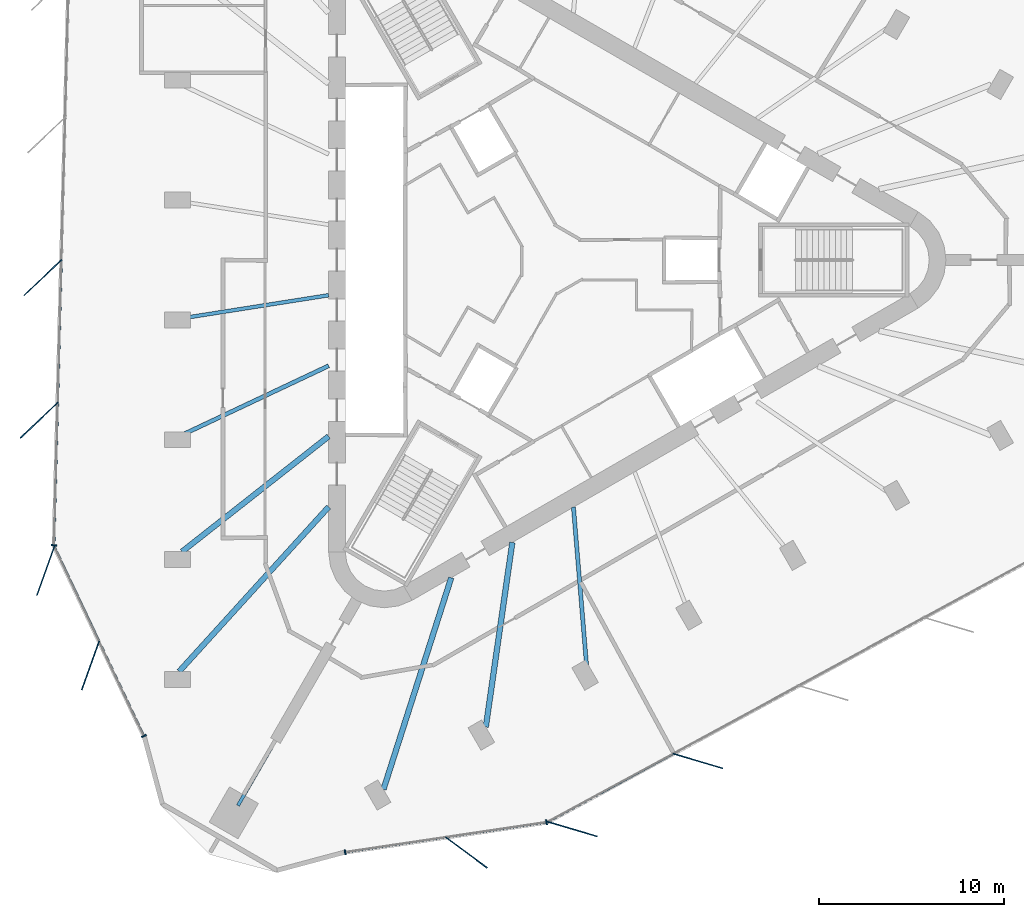
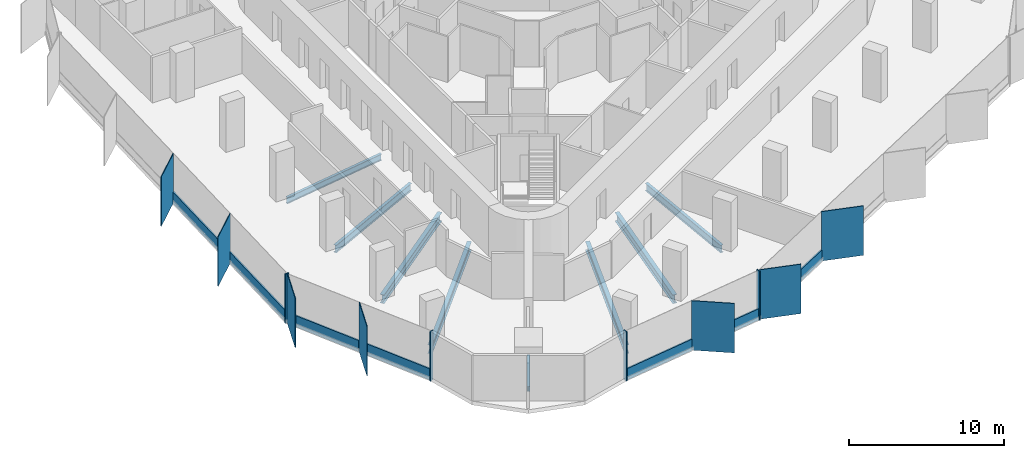
# One storey, part 2 of 13: 18 members, 8 beams, 4 elements without a shape of their own.
"""IFC4 building model written with IfcOpenShell, lengths in metres."""

from ifc_helpers import new_model, si_unit, direction, frame, origin, origin_2d, place, context, subcontext, project, spatial, rectangle, i_section, extrude, material, material_profile, profile_set, type_object, element, aggregate, save


model = new_model("IFC4")

# Units and contexts
model_context = context("Model", 3, precision=1e-05, world=origin(), true_north=direction((0.0, 1.0)))
body_context = subcontext(model_context, "Body", "Model", "MODEL_VIEW")
ifc_project = project(units=[si_unit("LENGTHUNIT", "METRE"), si_unit("AREAUNIT", "SQUARE_METRE"), si_unit("VOLUMEUNIT", "CUBIC_METRE"), si_unit("PLANEANGLEUNIT", "RADIAN"), si_unit("MASSUNIT", "GRAM", prefix="KILO")], contexts=[model_context])

# Site, building, storey
site_placement = place(None, origin())
site = spatial("IfcSite", under=ifc_project, at=site_placement, CompositionType="ELEMENT")
building_placement = place(site_placement, origin())
building = spatial("IfcBuilding", under=site, at=building_placement, Name="Tanit Gate Tower", CompositionType="ELEMENT")
storey_placement = place(building_placement, frame((0.0, 0.0, 322.10009765625)))
storey = spatial("IfcBuildingStorey", under=building, at=storey_placement, Name="L72", CompositionType="ELEMENT", Elevation=322.10009765625)

# Curtain wall, members
ifc_material_1 = material(Name="Aluminium bronze anodised and glass", Category="aluminium")
curtain_wall_type = type_object("IfcCurtainWallType", Name="Curtain wall typical high", PredefinedType="NOTDEFINED", material=ifc_material_1)
curtain_wall_1_placement = place(storey_placement, origin())
curtain_wall_1 = element("IfcCurtainWall", 1, at=curtain_wall_1_placement, inside=storey, type_object=curtain_wall_type, Name="Curtain wall L72 W2", PredefinedType="NOTDEFINED")
ifc_material_2 = material(Name="Aluminium bronze anodised", Category="aluminium")
ifc_material_profile_1 = material_profile(ifc_material_2, rectangle(XDim=2.800048828125, YDim=0.055908203125, at=origin_2d()), Name="56x2800 bronze fin mullion")
ifc_profile_set_1 = profile_set([ifc_material_profile_1], Name="Aluminium bronze anodised")
member_type_1 = type_object("IfcMemberType", Name="FIN MULLION 56x2800 bronze", PredefinedType="MULLION", material=ifc_profile_set_1)
member_1_placement = place(storey_placement, frame((-27.513427734375, -0.94970703125, -0.300048828125), z_axis=(0.0, 0.0, 1.0), x_axis=(0.725295571884, 0.688437603131, 0.0)))
member_1 = element("IfcMember", 2, at=member_1_placement, type_object=member_type_1, Name="Fin mullion L72 W2.3", PredefinedType="MULLION", context=body_context, shape_type="SweptSolid", body=[
    extrude(rectangle(XDim=2.800048828125, YDim=0.055908203125, at=origin_2d()), origin(), (0.0, 0.0, 1.0), 3.89990234375),
])
member_2_placement = place(storey_placement, frame((-27.714111328125, -8.64453125, -0.300048828125), z_axis=(0.0, 0.0, 1.0), x_axis=(0.725295571884, 0.688437603131, 0.0)))
member_2 = element("IfcMember", 3, at=member_2_placement, type_object=member_type_1, Name="Fin mullion L72 W2.4", PredefinedType="MULLION", context=body_context, shape_type="SweptSolid", body=[
    extrude(rectangle(XDim=2.800048828125, YDim=0.055908203125, at=origin_2d()), origin(), (0.0, 0.0, 1.0), 3.89990234375),
])

curtain_wall_2_placement = place(storey_placement, origin())
curtain_wall_2 = element("IfcCurtainWall", 4, at=curtain_wall_2_placement, inside=storey, type_object=curtain_wall_type, Name="Curtain wall L72 W3", PredefinedType="NOTDEFINED")
member_3_placement = place(storey_placement, frame((-27.362548828125, -16.764892578125, -0.300048828125), z_axis=(0.0, 0.0, 1.0), x_axis=(0.336992741052, 0.941507245048, 0.0)))
member_3 = element("IfcMember", 5, at=member_3_placement, type_object=member_type_1, Name="Fin mullion L72 W3.1", PredefinedType="MULLION", context=body_context, shape_type="SweptSolid", body=[
    extrude(rectangle(XDim=2.800048828125, YDim=0.055908203125, at=origin_2d()), origin(), (0.0, 0.0, 1.0), 3.89990234375),
])
member_4_placement = place(storey_placement, frame((-24.94775390625, -21.872314453125, -0.300048828125), z_axis=(0.0, 0.0, 1.0), x_axis=(0.336992741052, 0.941507245048, 0.0)))
member_4 = element("IfcMember", 6, at=member_4_placement, type_object=member_type_1, Name="Fin mullion L72 W3.2", PredefinedType="MULLION", context=body_context, shape_type="SweptSolid", body=[
    extrude(rectangle(XDim=2.800048828125, YDim=0.055908203125, at=origin_2d()), origin(), (0.0, 0.0, 1.0), 3.89990234375),
])

# Curtain wall, member
curtain_wall_3_placement = place(storey_placement, origin())
curtain_wall_3 = element("IfcCurtainWall", 7, at=curtain_wall_3_placement, inside=storey, type_object=curtain_wall_type, Name="Curtain wall L72 SE1", PredefinedType="NOTDEFINED")
member_5_placement = place(storey_placement, frame((-4.669921875, -31.963134765625, -0.300048828125), z_axis=(0.0, 0.0, 1.0), x_axis=(-0.803493025868, 0.595314166958, 0.0)))
member_5 = element("IfcMember", 8, at=member_5_placement, type_object=member_type_1, Name="Fin mullion L72 SE1.2", PredefinedType="MULLION", context=body_context, shape_type="SweptSolid", body=[
    extrude(rectangle(XDim=2.800048828125, YDim=0.055908203125, at=origin_2d()), origin(), (0.0, 0.0, 1.0), 3.89990234375),
])

# Curtain wall, members
curtain_wall_4_placement = place(storey_placement, origin())
curtain_wall_4 = element("IfcCurtainWall", 9, at=curtain_wall_4_placement, inside=storey, type_object=curtain_wall_type, Name="Curtain wall L72 SE2", PredefinedType="NOTDEFINED")
member_6_placement = place(storey_placement, frame((1.05029296875, -30.699951171875, -0.300048828125), z_axis=(0.0, 0.0, 1.0), x_axis=(-0.958852239174, 0.283905588939, 0.0)))
member_6 = element("IfcMember", 10, at=member_6_placement, type_object=member_type_1, Name="Fin mullion L72 SE2.1", PredefinedType="MULLION", context=body_context, shape_type="SweptSolid", body=[
    extrude(rectangle(XDim=2.800048828125, YDim=0.055908203125, at=origin_2d()), origin(), (0.0, 0.0, 1.0), 3.89990234375),
])
member_7_placement = place(storey_placement, frame((7.814697265625, -27.026123046875, -0.300048828125), z_axis=(0.0, 0.0, 1.0), x_axis=(-0.958852239174, 0.283905588939, 0.0)))
member_7 = element("IfcMember", 11, at=member_7_placement, type_object=member_type_1, Name="Fin mullion L72 SE2.2", PredefinedType="MULLION", context=body_context, shape_type="SweptSolid", body=[
    extrude(rectangle(XDim=2.800048828125, YDim=0.055908203125, at=origin_2d()), origin(), (0.0, 0.0, 1.0), 3.89990234375),
])

# Member
ifc_material_3 = material(Name="Aluminium bronze anodised", Category="aluminium")
ifc_material_profile_2 = material_profile(ifc_material_3, rectangle(XDim=0.280029296875, YDim=0.080078125, at=origin_2d()), Name="80x280 bronze mullion")
ifc_profile_set_2 = profile_set([ifc_material_profile_2], Name="Aluminium bronze anodised")
member_type_2 = type_object("IfcMemberType", Name="Mullion 80x280 typical high", PredefinedType="MULLION", material=ifc_profile_set_2)
member_8_placement = place(storey_placement, frame((-26.91357421875, -15.389404296875, -0.300048828125), z_axis=(0.0, 0.0, 1.0), x_axis=(0.999660314842, -0.026062519646, 0.0)))
member_8 = element("IfcMember", 12, at=member_8_placement, type_object=member_type_2, Name="Mullion L72 W2.5", PredefinedType="MULLION", context=body_context, shape_type="SweptSolid", body=[
    extrude(rectangle(XDim=0.280029296875, YDim=0.080078125, at=origin_2d()), origin(), (0.0, 0.0, 1.0), 3.89990234375),
])

member_9_placement = place(storey_placement, frame((-22.067626953125, -25.680419921875, -0.300048828125), z_axis=(0.0, 0.0, 1.0), x_axis=(0.904036009918, 0.427456305102, 0.0)))
member_9 = element("IfcMember", 13, at=member_9_placement, type_object=member_type_2, Name="Mullion L72 W3.3", PredefinedType="MULLION", context=body_context, shape_type="SweptSolid", body=[
    extrude(rectangle(XDim=0.280029296875, YDim=0.080078125, at=origin_2d()), origin(), (0.0, 0.0, 1.0), 3.89990234375),
])

member_10_placement = place(storey_placement, frame((-11.210205078125, -31.94970703125, -0.300048828125), z_axis=(0.0, 0.0, 1.0), x_axis=(-0.147204682835, 0.98910605162, 0.0)))
member_10 = element("IfcMember", 14, at=member_10_placement, type_object=member_type_2, Name="Mullion L72 SE1.1", PredefinedType="MULLION", context=body_context, shape_type="SweptSolid", body=[
    extrude(rectangle(XDim=0.280029296875, YDim=0.080078125, at=origin_2d()), origin(), (0.0, 0.0, 1.0), 3.89990234375),
])

member_11_placement = place(storey_placement, frame((-0.34765625, -30.3330078125, -0.300048828125), z_axis=(0.0, 0.0, 1.0), x_axis=(-0.147204682835, 0.98910605162, 0.0)))
member_11 = element("IfcMember", 15, at=member_11_placement, type_object=member_type_2, Name="Mullion L72 SE1.3", PredefinedType="MULLION", context=body_context, shape_type="SweptSolid", body=[
    extrude(rectangle(XDim=0.280029296875, YDim=0.080078125, at=origin_2d()), origin(), (0.0, 0.0, 1.0), 3.89990234375),
])

# Beams
ifc_material_4 = material(Name="Steel S355", Category="steel")
ifc_material_profile_3 = material_profile(ifc_material_4, i_section(OverallWidth=0.300048828125, OverallDepth=0.68994140625, WebThickness=0.014404296875, FlangeThickness=0.027099609375, FilletRadius=0.027099609375, at=origin_2d()), Name="HEA 700")
ifc_profile_set_3 = profile_set([ifc_material_profile_3], Name="Steel S355")
beam_type_1 = type_object("IfcBeamType", Name="RADIAL GIRDER HEA 700 S355", PredefinedType="BEAM", material=ifc_profile_set_3)
beam_1_placement = place(storey_placement, frame((-20.009033203125, -15.734619140625, -0.64501953125), z_axis=(0.786058028023, 0.618152712993, 0.0), x_axis=(-0.618152712993, 0.786058028023, 0.0)))
element("IfcBeam", 16, at=beam_1_placement, inside=storey, type_object=beam_type_1, Name="RADIAL GIRDER", PredefinedType="BEAM", context=body_context, shape_type="SweptSolid", body=[
    extrude(i_section(OverallWidth=0.300048828125, OverallDepth=0.68994140625, WebThickness=0.014404296875, FlangeThickness=0.027099609375, FilletRadius=0.027099609375, at=origin_2d()), origin(), (0.0, 0.0, 1.0), 10.05908203125),
])
beam_2_placement = place(storey_placement, frame((-20.16357421875, -22.198486328125, -0.64501953125), z_axis=(0.672368682258, 0.740216424513, 0.0), x_axis=(-0.740216424513, 0.672368682258, 0.0)))
element("IfcBeam", 17, at=beam_2_placement, inside=storey, type_object=beam_type_1, Name="RADIAL GIRDER", PredefinedType="BEAM", context=body_context, shape_type="SweptSolid", body=[
    extrude(i_section(OverallWidth=0.300048828125, OverallDepth=0.68994140625, WebThickness=0.014404296875, FlangeThickness=0.027099609375, FilletRadius=0.027099609375, at=origin_2d()), origin(), (0.0, 0.0, 1.0), 11.98974609375),
])
beam_3_placement = place(storey_placement, frame((-9.142822265625, -28.5615234375, -0.64501953125), z_axis=(0.304861429939, 0.952396718041, 0.0), x_axis=(-0.952396718041, 0.304861429939, 0.0)))
element("IfcBeam", 18, at=beam_3_placement, inside=storey, type_object=beam_type_1, Name="RADIAL GIRDER", PredefinedType="BEAM", context=body_context, shape_type="SweptSolid", body=[
    extrude(i_section(OverallWidth=0.300048828125, OverallDepth=0.68994140625, WebThickness=0.014404296875, FlangeThickness=0.027099609375, FilletRadius=0.027099609375, at=origin_2d()), origin(), (0.0, 0.0, 1.0), 11.989990234375),
])
beam_4_placement = place(storey_placement, frame((-3.622314453125, -25.19580078125, -0.64501953125), z_axis=(0.142297951306, 0.989823869713, 0.0), x_axis=(-0.989823869713, 0.142297951306, 0.0)))
element("IfcBeam", 19, at=beam_4_placement, inside=storey, type_object=beam_type_1, Name="RADIAL GIRDER", PredefinedType="BEAM", context=body_context, shape_type="SweptSolid", body=[
    extrude(i_section(OverallWidth=0.300048828125, OverallDepth=0.68994140625, WebThickness=0.014404296875, FlangeThickness=0.027099609375, FilletRadius=0.027099609375, at=origin_2d()), origin(), (0.0, 0.0, 1.0), 10.05908203125),
])
ifc_material_5 = material(Name="Steel S355", Category="steel")
ifc_material_profile_4 = material_profile(ifc_material_5, i_section(OverallWidth=0.179931640625, OverallDepth=0.39990234375, WebThickness=0.008544921875, FlangeThickness=0.013427734375, FilletRadius=0.02099609375, at=origin_2d()), Name="IPE 400")
ifc_profile_set_4 = profile_set([ifc_material_profile_4], Name="Steel S355")
beam_type_2 = type_object("IfcBeamType", Name="RADIAL GIRDER IPE 400 S355", PredefinedType="BEAM", material=ifc_profile_set_4)
beam_5_placement = place(storey_placement, frame((-16.991455078125, -29.43017578125, -0.5), z_axis=(0.499968468511, 0.866043607733, 0.0), x_axis=(-0.866043607733, 0.499968468511, 0.0)))
element("IfcBeam", 20, at=beam_5_placement, inside=storey, type_object=beam_type_2, Name="RADIAL GIRDER", PredefinedType="BEAM", context=body_context, shape_type="SweptSolid", body=[
    extrude(i_section(OverallWidth=0.179931640625, OverallDepth=0.39990234375, WebThickness=0.008544921875, FlangeThickness=0.013427734375, FilletRadius=0.02099609375, at=origin_2d()), origin(), (0.0, 0.0, 1.0), 3.579345703125),
])
ifc_material_6 = material(Name="Steel S355", Category="steel")
ifc_material_profile_5 = material_profile(ifc_material_6, i_section(OverallWidth=0.199951171875, OverallDepth=0.5, WebThickness=0.01025390625, FlangeThickness=0.01611328125, FilletRadius=0.02099609375, at=origin_2d()), Name="IPE 500")
ifc_profile_set_5 = profile_set([ifc_material_profile_5], Name="Steel S355")
beam_type_3 = type_object("IfcBeamType", Name="RADIAL GIRDER IPE 500 S355", PredefinedType="BEAM", material=ifc_profile_set_5)
beam_6_placement = place(storey_placement, frame((-19.849609375, -3.121826171875, -0.550048828125), z_axis=(0.987856930441, 0.15536629293, 0.0), x_axis=(-0.15536629293, 0.987856930441, 0.0)))
element("IfcBeam", 21, at=beam_6_placement, inside=storey, type_object=beam_type_3, Name="RADIAL GIRDER", PredefinedType="BEAM", context=body_context, shape_type="SweptSolid", body=[
    extrude(i_section(OverallWidth=0.199951171875, OverallDepth=0.5, WebThickness=0.01025390625, FlangeThickness=0.01611328125, FilletRadius=0.02099609375, at=origin_2d()), origin(), (0.0, 0.0, 1.0), 7.8427734375),
])
ifc_material_7 = material(Name="Steel S355", Category="steel")
ifc_material_profile_6 = material_profile(ifc_material_7, i_section(OverallWidth=0.219970703125, OverallDepth=0.60009765625, WebThickness=0.011962890625, FlangeThickness=0.01904296875, FilletRadius=0.02392578125, at=origin_2d()), Name="IPE 600")
ifc_profile_set_6 = profile_set([ifc_material_profile_6], Name="Steel S355")
beam_type_4 = type_object("IfcBeamType", Name="RADIAL GIRDER IPE 600 S355", PredefinedType="BEAM", material=ifc_profile_set_6)
for number, where, z_axis, x_axis, name in (
    (22, (-19.849609375, -9.365478515625, -0.60009765625), (0.90438615004, 0.426715000458, 0.0), (-0.426715000458, 0.90438615004, 0.0), "RADIAL GIRDER"),
    (23, (1.81396484375, -21.873046875, -0.60009765625), (-0.082646881355, 0.99657889452, 0.0), (-0.99657889452, -0.082646881355, 0.0), "RADIAL GIRDER"),
):
    element("IfcBeam", number, at=place(storey_placement, frame(where, z_axis=z_axis, x_axis=x_axis)), inside=storey, type_object=beam_type_4, Name=name, PredefinedType="BEAM", context=body_context, shape_type="SweptSolid", body=[
        extrude(i_section(OverallWidth=0.219970703125, OverallDepth=0.60009765625, WebThickness=0.011962890625, FlangeThickness=0.01904296875, FilletRadius=0.02392578125, at=origin_2d()), origin(), (0.0, 0.0, 1.0), 8.566650390625),
    ])

# Member
ifc_material_8 = material(Name="Aluminium bronze anodised", Category="aluminium")
ifc_material_profile_7 = material_profile(ifc_material_8, rectangle(XDim=0.1201171875, YDim=0.89990234375, at=origin_2d()), Name="120x900 bronze transom")
ifc_profile_set_7 = profile_set([ifc_material_profile_7], Name="Aluminium bronze anodised")
member_type_3 = type_object("IfcMemberType", Name="Transom 120x900 typical high", PredefinedType="USERDEFINED", material=ifc_profile_set_7)
member_12_placement = place(storey_placement, frame((-26.513427734375, -0.03955078125, 0.14990234375), z_axis=(-0.026056361338, -0.999660475378, 0.0), x_axis=(0.999660475378, -0.026056361338, 0.0)))
member_12 = element("IfcMember", 24, at=member_12_placement, type_object=member_type_3, Name="Transom L72 W2.3", ObjectType="TRANSOM", PredefinedType="USERDEFINED", context=body_context, shape_type="SweptSolid", body=[
    extrude(rectangle(XDim=0.1201171875, YDim=0.89990234375, at=origin_2d()), origin(), (0.0, 0.0, 1.0), 7.61767578125),
])

member_13_placement = place(storey_placement, frame((-26.7138671875, -7.734375, 0.14990234375), z_axis=(-0.026088389183, -0.999659640052, 0.0), x_axis=(0.999659640052, -0.026088389183, 0.0)))
member_13 = element("IfcMember", 25, at=member_13_placement, type_object=member_type_3, Name="Transom L72 W2.4", ObjectType="TRANSOM", PredefinedType="USERDEFINED", context=body_context, shape_type="SweptSolid", body=[
    extrude(rectangle(XDim=0.1201171875, YDim=0.89990234375, at=origin_2d()), origin(), (0.0, 0.0, 1.0), 7.61767578125),
])

aggregate(curtain_wall_1, [member_1, member_2, member_8, member_12, member_13])

member_14_placement = place(storey_placement, frame((-26.88037109375, -15.501708984375, 0.14990234375), z_axis=(0.42743238128, -0.904047321457, 0.0), x_axis=(0.904047321457, 0.42743238128, 0.0)))
member_14 = element("IfcMember", 26, at=member_14_placement, type_object=member_type_3, Name="Transom L72 W3.1", ObjectType="TRANSOM", PredefinedType="USERDEFINED", context=body_context, shape_type="SweptSolid", body=[
    extrude(rectangle(XDim=0.1201171875, YDim=0.89990234375, at=origin_2d()), origin(), (0.0, 0.0, 1.0), 5.569580078125),
])

member_15_placement = place(storey_placement, frame((-24.46533203125, -20.609130859375, 0.14990234375), z_axis=(0.427449320451, -0.904039312445, 0.0), x_axis=(0.904039312445, 0.427449320451, 0.0)))
member_15 = element("IfcMember", 27, at=member_15_placement, type_object=member_type_3, Name="Transom L72 W3.2", ObjectType="TRANSOM", PredefinedType="USERDEFINED", context=body_context, shape_type="SweptSolid", body=[
    extrude(rectangle(XDim=0.1201171875, YDim=0.89990234375, at=origin_2d()), origin(), (0.0, 0.0, 1.0), 5.5693359375),
])

aggregate(curtain_wall_2, [member_3, member_4, member_9, member_14, member_15])

member_16_placement = place(storey_placement, frame((-11.170654296875, -31.94384765625, 0.14990234375), z_axis=(0.989103182264, 0.147223961487, 0.0), x_axis=(-0.147223961487, 0.989103182264, 0.0)))
member_16 = element("IfcMember", 28, at=member_16_placement, type_object=member_type_3, Name="Transom L72 SE1.1", ObjectType="TRANSOM", PredefinedType="USERDEFINED", context=body_context, shape_type="SweptSolid", body=[
    extrude(rectangle(XDim=0.1201171875, YDim=0.89990234375, at=origin_2d()), origin(), (0.0, 0.0, 1.0), 5.4111328125),
])

member_17_placement = place(storey_placement, frame((-5.739501953125, -31.135498046875, 0.14990234375), z_axis=(0.989104160152, 0.147217391533, 0.0), x_axis=(-0.147217391533, 0.989104160152, 0.0)))
member_17 = element("IfcMember", 29, at=member_17_placement, type_object=member_type_3, Name="Transom L72 SE1.2", ObjectType="TRANSOM", PredefinedType="USERDEFINED", context=body_context, shape_type="SweptSolid", body=[
    extrude(rectangle(XDim=0.1201171875, YDim=0.89990234375, at=origin_2d()), origin(), (0.0, 0.0, 1.0), 5.411376953125),
])

aggregate(curtain_wall_3, [member_10, member_5, member_11, member_16, member_17])

member_18_placement = place(storey_placement, frame((-0.23779296875, -30.2890625, 0.14990234375), z_axis=(0.878767412966, 0.477250284346, 0.0), x_axis=(-0.477250284346, 0.878767412966, 0.0)))
member_18 = element("IfcMember", 30, at=member_18_placement, type_object=member_type_3, Name="Transom L72 SE2.1", ObjectType="TRANSOM", PredefinedType="USERDEFINED", context=body_context, shape_type="SweptSolid", body=[
    extrude(rectangle(XDim=0.1201171875, YDim=0.89990234375, at=origin_2d()), origin(), (0.0, 0.0, 1.0), 7.61767578125),
])

aggregate(curtain_wall_4, [member_6, member_7, member_18])

save(model, "model.ifc")
